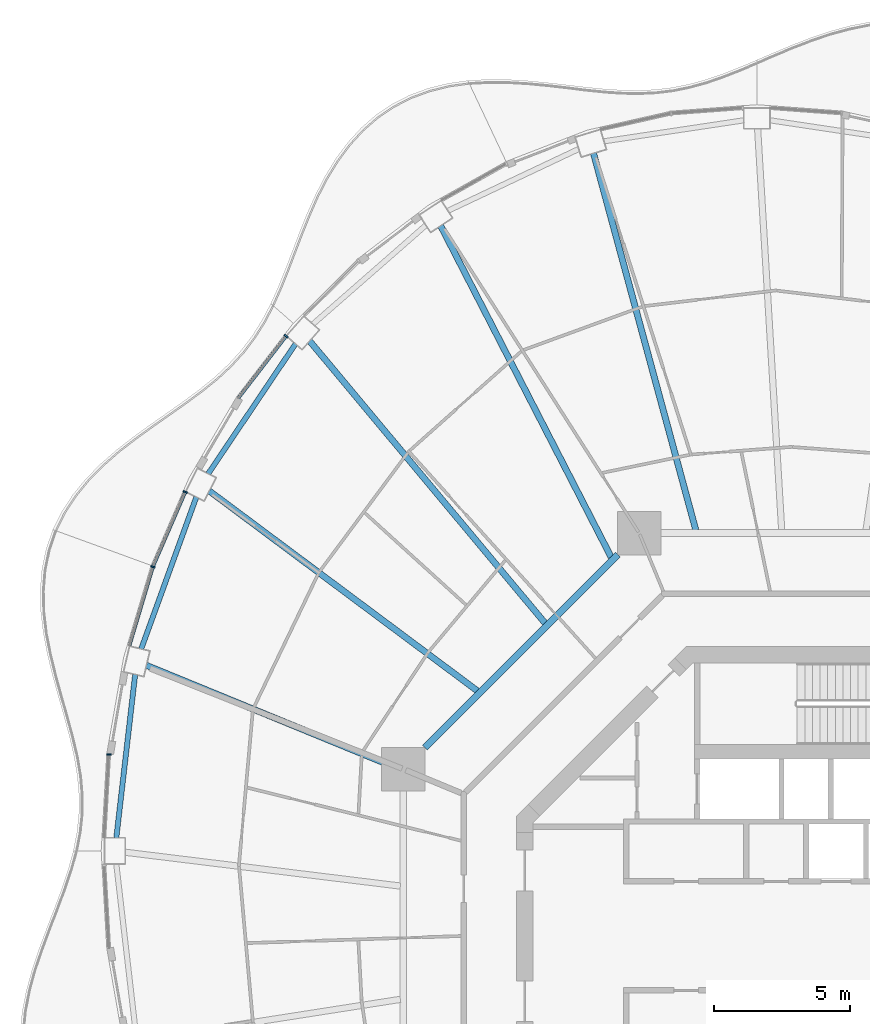
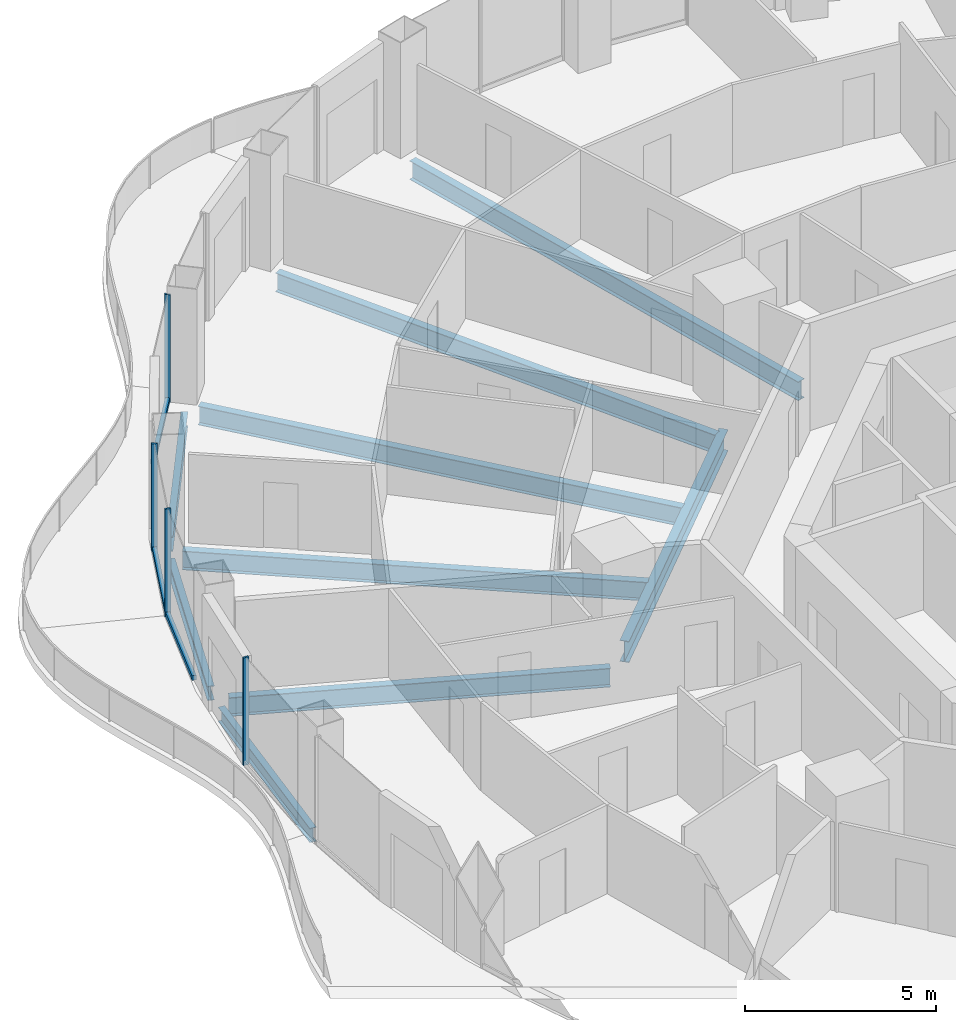
# One storey, part 5 of 18: 9 beams, 7 members, 4 elements without a shape of their own.
"""IFC4 building model written with IfcOpenShell, lengths in metres."""

import ifcopenshell
import ifcopenshell.guid

model = None  # the IFC model being written
_history = None  # IfcOwnerHistory: only IFC2X3 demands one
_inside = {}  # id of a spatial element -> (the spatial element, [elements in it])
_under = {}  # id of a project, library or spatial element -> (it, [spatial elements below it])
_declared = {}  # id of a project -> (the project, [libraries it declares])
_typed = {}  # id of a type object -> (the type object, [elements of that type])
_made_of = {}  # id of a material, layer set ... -> (it, [elements and type objects made of it])


def new_model(schema):
    """Start an empty IFC model of exactly this schema.

    Asked for "IFC4X3", IfcOpenShell would pick the latest addendum, in which some entities
    have other attributes; the version numbers below select the first issue.
    IFC2X3 requires an IfcOwnerHistory on every rooted entity: one is made here for all.
    """
    global model, _history
    if schema == "IFC4X3":
        model = ifcopenshell.file(schema_version=(4, 3, 0, 0))
    else:
        model = ifcopenshell.file(schema=schema)
    _inside.clear()
    _under.clear()
    _declared.clear()
    _typed.clear()
    _made_of.clear()
    _history = None
    if model.schema == "IFC2X3":
        org = make("IfcOrganization", Name="unknown")
        user = make(
            "IfcPersonAndOrganization",
            ThePerson=make("IfcPerson", FamilyName="unknown"),
            TheOrganization=org,
        )
        app = make(
            "IfcApplication",
            ApplicationDeveloper=org,
            Version="unknown",
            ApplicationFullName="unknown",
            ApplicationIdentifier="unknown",
        )
        _history = make(
            "IfcOwnerHistory",
            OwningUser=user,
            OwningApplication=app,
            ChangeAction="ADDED",
            CreationDate=0,
        )
    return model


def make(cls, **values):
    """One entity of the class cls with the attributes given. An attribute that is None is left unset."""
    return model.create_entity(
        cls, **{name: value for name, value in values.items() if value is not None}
    )


def rooted(cls, **values):
    """An entity with a GlobalId (a new one), such as an element, a storey or a relation."""
    return make(cls, GlobalId=ifcopenshell.guid.new(), OwnerHistory=_history, **values)


def si_unit(unit_type, name, prefix=None):
    """IfcSIUnit, for example si_unit("LENGTHUNIT", "METRE", prefix="MILLI")."""
    return make("IfcSIUnit", UnitType=unit_type, Prefix=prefix, Name=name)


def assignment(units):
    """IfcUnitAssignment: the units of a project."""
    return None if units is None else make("IfcUnitAssignment", Units=units)


def point(xyz):
    """IfcCartesianPoint."""
    return None if xyz is None else make("IfcCartesianPoint", Coordinates=xyz)


def direction(xyz):
    """IfcDirection."""
    return None if xyz is None else make("IfcDirection", DirectionRatios=xyz)


def frame(location, z_axis=None, x_axis=None):
    """IfcAxis2Placement3D, a coordinate frame: its origin and axes. An axis left out is left unset."""
    return make(
        "IfcAxis2Placement3D",
        Location=point(location),
        Axis=direction(z_axis),
        RefDirection=direction(x_axis),
    )


def frame_2d(location, x_axis=None):
    """IfcAxis2Placement2D, a coordinate frame in the plane: its origin and x axis."""
    return make(
        "IfcAxis2Placement2D", Location=point(location), RefDirection=direction(x_axis)
    )


def origin():
    """The frame at (0, 0, 0) with its axes left unset."""
    return frame((0.0, 0.0, 0.0))


def origin_2d():
    """The frame at (0, 0) in the plane with its x axis left unset."""
    return frame_2d((0.0, 0.0))


def place(relative_to, where):
    """IfcLocalPlacement: puts the frame where relative to a parent placement (None: the world)."""
    return make(
        "IfcLocalPlacement", PlacementRelTo=relative_to, RelativePlacement=where
    )


def context(
    kind, dimensions, precision=None, world=None, true_north=None, identifier=None
):
    """IfcGeometricRepresentationContext, for example the 3D "Model" context."""
    return make(
        "IfcGeometricRepresentationContext",
        ContextIdentifier=identifier,
        ContextType=kind,
        CoordinateSpaceDimension=dimensions,
        Precision=precision,
        WorldCoordinateSystem=world,
        TrueNorth=true_north,
    )


def subcontext(parent, identifier, kind, view, scale=None):
    """IfcGeometricRepresentationSubContext, for example "Body" below "Model"."""
    return make(
        "IfcGeometricRepresentationSubContext",
        ContextIdentifier=identifier,
        ContextType=kind,
        ParentContext=parent,
        TargetScale=scale,
        TargetView=view,
    )


def project(units=None, contexts=None):
    """IfcProject with its units and contexts."""
    return rooted(
        "IfcProject",
        Name="project",
        RepresentationContexts=contexts,
        UnitsInContext=assignment(units),
    )


def spatial(cls, under=None, at=None, **own):
    """A site, building, storey or space (cls), placed at a placement, below another one or the project."""
    s = rooted(cls, ObjectPlacement=at, **own)
    if under is not None:
        _under.setdefault(under.id(), (under, []))[1].append(s)
    return s


def profile(cls, at=None, kind="AREA", **sizes):
    """A parametric profile (cls). Its sizes go by their IFC names, for example OverallWidth=200.0."""
    return make(cls, ProfileType=kind, Position=at, **sizes)


def rectangle(**sizes):
    """IfcRectangleProfileDef."""
    return profile("IfcRectangleProfileDef", **sizes)


def i_section(**sizes):
    """IfcIShapeProfileDef."""
    return profile("IfcIShapeProfileDef", **sizes)


def extrude(swept, where, along, depth):
    """IfcExtrudedAreaSolid: the profile swept, set in the frame where, extruded along a direction by depth."""
    return make(
        "IfcExtrudedAreaSolid",
        SweptArea=swept,
        Position=where,
        ExtrudedDirection=direction(along),
        Depth=depth,
    )


def shape(context_of_items, identifier, shape_type, items):
    """IfcShapeRepresentation: the items that make up one representation, for example the "Body"."""
    return make(
        "IfcShapeRepresentation",
        ContextOfItems=context_of_items,
        RepresentationIdentifier=identifier,
        RepresentationType=shape_type,
        Items=items,
    )


def material(Name=None, Category=None):
    """IfcMaterial."""
    return make("IfcMaterial", Name=Name, Category=Category)


def layer(
    of_material, thickness, ventilated=None, Name=None, Category=None, Priority=None
):
    """IfcMaterialLayer: one layer of a wall or slab, of a material (None: an air gap)."""
    return make(
        "IfcMaterialLayer",
        Material=of_material,
        LayerThickness=thickness,
        IsVentilated=ventilated,
        Name=Name,
        Category=Category,
        Priority=Priority,
    )


def layer_set(layers, Name=None):
    """IfcMaterialLayerSet."""
    return make("IfcMaterialLayerSet", MaterialLayers=layers, LayerSetName=Name)


def material_profile(
    of_material, cross_section, Name=None, Category=None, Priority=None
):
    """IfcMaterialProfile: a cross section and its material."""
    return make(
        "IfcMaterialProfile",
        Name=Name,
        Material=of_material,
        Profile=cross_section,
        Priority=Priority,
        Category=Category,
    )


def profile_set(profiles, Name=None, composite=None):
    """IfcMaterialProfileSet."""
    return make(
        "IfcMaterialProfileSet",
        Name=Name,
        MaterialProfiles=profiles,
        CompositeProfile=composite,
    )


def made_of(thing, what):
    """Note that an element or type object is made of a material, layer set ...; save() writes the relation."""
    if what is not None:
        _made_of.setdefault(what.id(), (what, []))[1].append(thing)
    return thing


def type_object(cls, material=None, **own):
    """A type object (cls), such as IfcWallType, which elements share."""
    return made_of(rooted(cls, **own), material)


def element(
    cls,
    number,
    at=None,
    inside=None,
    cuts=None,
    type_object=None,
    material=None,
    context=None,
    identifier="Body",
    shape_type=None,
    held_by="IfcProductDefinitionShape",
    body=None,
    shapes=None,
    **own,
):
    """One element of the class cls, such as IfcWall. Its Tag is "e" and its number.

    at: its placement. inside: the storey or other place that contains it. cuts: it is an
    opening in that element (IfcRelVoidsElement). A single representation is given by context,
    identifier, shape_type and body (its items); several are given by shapes. held_by: the class
    of the entity that holds the representations. save() writes the other relations.
    """
    e = rooted(cls, Tag="e%d" % number, ObjectPlacement=at, **own)
    if body is not None:
        shapes = [shape(context, identifier, shape_type, body)]
    if shapes is not None:
        e.Representation = make(held_by, Representations=shapes)
    if inside is not None:
        _inside.setdefault(inside.id(), (inside, []))[1].append(e)
    if cuts is not None:
        rooted(
            "IfcRelVoidsElement", RelatingBuildingElement=cuts, RelatedOpeningElement=e
        )
    if type_object is not None:
        _typed.setdefault(type_object.id(), (type_object, []))[1].append(e)
    return made_of(e, material)


def aggregate(whole, parts):
    """IfcRelAggregates: a whole, such as a stair, and the parts it consists of."""
    return rooted("IfcRelAggregates", RelatingObject=whole, RelatedObjects=parts)


def save(model, path):
    """Write the relations noted so far, then the file.

    IfcRelAggregates (storeys below a building ...), IfcRelContainedInSpatialStructure (elements
    in a storey), IfcRelDefinesByType, IfcRelAssociatesMaterial and IfcRelDeclares: one each for
    every whole, place, type object, material and project.
    """
    for whole, parts in _under.values():
        aggregate(whole, parts)
    for where, things in _inside.values():
        rooted(
            "IfcRelContainedInSpatialStructure",
            RelatedElements=things,
            RelatingStructure=where,
        )
    for kind, things in _typed.values():
        rooted("IfcRelDefinesByType", RelatedObjects=things, RelatingType=kind)
    for what, things in _made_of.values():
        rooted("IfcRelAssociatesMaterial", RelatedObjects=things, RelatingMaterial=what)
    for by, libraries in _declared.values():
        rooted("IfcRelDeclares", RelatingContext=by, RelatedDefinitions=libraries)
    model.write(path)


model = new_model("IFC4")

# Units and contexts
model_context = context("Model", 3, precision=1e-05, world=origin(), true_north=direction((0.0, 1.0)))
body_context = subcontext(model_context, "Body", "Model", "MODEL_VIEW")
ifc_project = project(units=[si_unit("LENGTHUNIT", "METRE"), si_unit("AREAUNIT", "SQUARE_METRE"), si_unit("VOLUMEUNIT", "CUBIC_METRE"), si_unit("PLANEANGLEUNIT", "RADIAN"), si_unit("MASSUNIT", "GRAM", prefix="KILO")], contexts=[model_context])

# Site, building, storey
site_placement = place(None, origin())
site = spatial("IfcSite", under=ifc_project, at=site_placement, CompositionType="ELEMENT")
building_placement = place(site_placement, origin())
building = spatial("IfcBuilding", under=site, at=building_placement, Name="Nagisa Residences", CompositionType="ELEMENT")
storey_placement = place(building_placement, frame((0.0, 0.0, 219.60009765625)))
storey = spatial("IfcBuildingStorey", under=building, at=storey_placement, Name="L55", CompositionType="ELEMENT", Elevation=219.60009765625)

# Curtain wall, member
ifc_material_1 = material(Name="Concrete-coloured aluminium curtain wall system", Category="concrete")
ifc_layer = layer(ifc_material_1, 0.159912109375)
ifc_layer_set = layer_set([ifc_layer], Name="CW1 CURTAIN WALL")
curtain_wall_type = type_object("IfcCurtainWallType", Name="CW1 CURTAIN WALL", PredefinedType="NOTDEFINED", material=ifc_layer_set)
curtain_wall_1_placement = place(storey_placement, origin())
curtain_wall_1 = element("IfcCurtainWall", 1, at=curtain_wall_1_placement, inside=storey, type_object=curtain_wall_type, Name="cw:CW1:L55:18", PredefinedType="NOTDEFINED")
ifc_material_2 = material(Name="Concrete-coloured aluminium", Category="concrete")
ifc_material_profile_1 = material_profile(ifc_material_2, rectangle(XDim=0.159912109375, YDim=0.06005859375, at=origin_2d()), Name="CW1 MULLION 160x60")
ifc_profile_set_1 = profile_set([ifc_material_profile_1], Name="Concrete-coloured aluminium")
member_type_1 = type_object("IfcMemberType", Name="CW1 MULLION 160x60", PredefinedType="MULLION", material=ifc_profile_set_1)
member_1_placement = place(storey_placement, frame((-19.080322265625, 22.0166015625, 0.0), z_axis=(0.0, 0.0, 1.0), x_axis=(0.792070340816, -0.610429828235, 0.0)))
member_1 = element("IfcMember", 2, at=member_1_placement, type_object=member_type_1, Name="CW1 mullion", PredefinedType="MULLION", context=body_context, shape_type="SweptSolid", body=[
    extrude(rectangle(XDim=0.159912109375, YDim=0.06005859375, at=origin_2d()), origin(), (0.0, 0.0, 1.0), 3.43994140625),
])

curtain_wall_2_placement = place(storey_placement, origin())
curtain_wall_2 = element("IfcCurtainWall", 3, at=curtain_wall_2_placement, inside=storey, type_object=curtain_wall_type, Name="cw:CW1:L55:20", PredefinedType="NOTDEFINED")
member_2_placement = place(storey_placement, frame((-22.782470703125, 16.294677734375, 0.0), z_axis=(0.0, 0.0, 1.0), x_axis=(0.917543276295, -0.397635934147, 0.0)))
member_2 = element("IfcMember", 4, at=member_2_placement, type_object=member_type_1, Name="CW1 mullion", PredefinedType="MULLION", context=body_context, shape_type="SweptSolid", body=[
    extrude(rectangle(XDim=0.159912109375, YDim=0.06005859375, at=origin_2d()), origin(), (0.0, 0.0, 1.0), 3.43994140625),
])

curtain_wall_3_placement = place(storey_placement, origin())
curtain_wall_3 = element("IfcCurtainWall", 5, at=curtain_wall_3_placement, inside=storey, type_object=curtain_wall_type, Name="cw:CW1:L55:21", PredefinedType="NOTDEFINED")
member_3_placement = place(storey_placement, frame((-23.9697265625, 13.5478515625, 0.0), z_axis=(0.0, 0.0, 1.0), x_axis=(0.958271310082, -0.285860274038, 0.0)))
member_3 = element("IfcMember", 6, at=member_3_placement, type_object=member_type_1, Name="CW1 mullion", PredefinedType="MULLION", context=body_context, shape_type="SweptSolid", body=[
    extrude(rectangle(XDim=0.159912109375, YDim=0.06005859375, at=origin_2d()), origin(), (0.0, 0.0, 1.0), 3.43994140625),
])

curtain_wall_4_placement = place(storey_placement, origin())
curtain_wall_4 = element("IfcCurtainWall", 7, at=curtain_wall_4_placement, inside=storey, type_object=curtain_wall_type, Name="cw:CW1:L55:23", PredefinedType="NOTDEFINED")
member_4_placement = place(storey_placement, frame((-25.5859375, 6.658203125, 0.0), z_axis=(0.0, 0.0, 1.0), x_axis=(0.998345305184, -0.057503492216, 0.0)))
member_4 = element("IfcMember", 8, at=member_4_placement, type_object=member_type_1, Name="CW1 mullion", PredefinedType="MULLION", context=body_context, shape_type="SweptSolid", body=[
    extrude(rectangle(XDim=0.159912109375, YDim=0.06005859375, at=origin_2d()), origin(), (0.0, 0.0, 1.0), 3.43994140625),
])
aggregate(curtain_wall_4, [member_4])

# Member
ifc_material_3 = material(Name="Concrete-coloured aluminium", Category="concrete")
ifc_material_profile_2 = material_profile(ifc_material_3, rectangle(XDim=0.1201171875, YDim=0.14990234375, at=origin_2d()), Name="CW1 TRANSOM 120x150")
ifc_profile_set_2 = profile_set([ifc_material_profile_2], Name="Concrete-coloured aluminium")
member_type_2 = type_object("IfcMemberType", Name="CW1 TRANSOM 120x150", PredefinedType="USERDEFINED", material=ifc_profile_set_2)
member_5_placement = place(storey_placement, frame((-19.06201171875, 22.04052734375, 0.074951171875), z_axis=(-0.610438565676, -0.792063607001, 0.0), x_axis=(0.792063607001, -0.610438565676, 0.0)))
member_5 = element("IfcMember", 9, at=member_5_placement, type_object=member_type_2, Name="CW1 transom", ObjectType="TRANSOM", PredefinedType="USERDEFINED", context=body_context, shape_type="SweptSolid", body=[
    extrude(rectangle(XDim=0.1201171875, YDim=0.14990234375, at=origin_2d()), origin(), (0.0, 0.0, 1.0), 2.90087890625),
])

aggregate(curtain_wall_1, [member_1, member_5])

member_6_placement = place(storey_placement, frame((-22.770751953125, 16.322021484375, 0.074951171875), z_axis=(-0.397616567135, -0.917551669139, 0.0), x_axis=(0.917551669139, -0.397616567135, 0.0)))
member_6 = element("IfcMember", 10, at=member_6_placement, type_object=member_type_2, Name="CW1 transom", ObjectType="TRANSOM", PredefinedType="USERDEFINED", context=body_context, shape_type="SweptSolid", body=[
    extrude(rectangle(XDim=0.1201171875, YDim=0.14990234375, at=origin_2d()), origin(), (0.0, 0.0, 1.0), 3.001953125),
])

aggregate(curtain_wall_2, [member_2, member_6])

member_7_placement = place(storey_placement, frame((-23.961181640625, 13.576416015625, 0.074951171875), z_axis=(-0.285881452443, -0.958264992134, 0.0), x_axis=(0.958264992134, -0.285881452443, 0.0)))
member_7 = element("IfcMember", 11, at=member_7_placement, type_object=member_type_2, Name="CW1 transom", ObjectType="TRANSOM", PredefinedType="USERDEFINED", context=body_context, shape_type="SweptSolid", body=[
    extrude(rectangle(XDim=0.1201171875, YDim=0.14990234375, at=origin_2d()), origin(), (0.0, 0.0, 1.0), 3.040283203125),
])

aggregate(curtain_wall_3, [member_3, member_7])

# Beams
ifc_material_4 = material(Name="Steel ASTM A572 Gr 50", Category="steel")
ifc_material_profile_3 = material_profile(ifc_material_4, i_section(OverallWidth=0.2529296875, OverallDepth=0.677978515625, WebThickness=0.01171875, FlangeThickness=0.016357421875, at=origin_2d()), Name="W690x125")
ifc_profile_set_3 = profile_set([ifc_material_profile_3], Name="Steel ASTM A572 Gr 50")
beam_type_1 = type_object("IfcBeamType", Name="Inner ring beam W690x125", PredefinedType="BEAM", material=ifc_profile_set_3)
beam_1_placement = place(storey_placement, frame((-6.90869140625, 13.99609375, -0.59912109375), z_axis=(-0.707106781187, -0.707106781187, 0.0), x_axis=(0.707106781187, -0.707106781187, 0.0)))
element("IfcBeam", 12, at=beam_1_placement, inside=storey, type_object=beam_type_1, Name="beam:L55:ib3", PredefinedType="BEAM", context=body_context, shape_type="SweptSolid", body=[
    extrude(i_section(OverallWidth=0.2529296875, OverallDepth=0.677978515625, WebThickness=0.01171875, FlangeThickness=0.016357421875, at=origin_2d()), origin(), (0.0, 0.0, 1.0), 10.023193359375),
])
ifc_material_5 = material(Name="Steel ASTM A572 Gr 50", Category="steel")
ifc_material_profile_4 = material_profile(ifc_material_5, i_section(OverallWidth=0.18994140625, OverallDepth=0.45703125, WebThickness=0.009033203125, FlangeThickness=0.014404296875, at=origin_2d()), Name="W460x74")
ifc_profile_set_4 = profile_set([ifc_material_profile_4], Name="Steel ASTM A572 Gr 50")
beam_type_2 = type_object("IfcBeamType", Name="Perimeter ring beam W460x74", PredefinedType="BEAM", material=ifc_profile_set_4)
beam_2_placement = place(storey_placement, frame((-18.73681640625, 21.72998046875, -0.488525390625), z_axis=(-0.558079852096, -0.829787249049, 0.0), x_axis=(0.829787249049, -0.558079852096, 0.0)))
element("IfcBeam", 13, at=beam_2_placement, inside=storey, type_object=beam_type_2, Name="beam:L55:pb10", PredefinedType="BEAM", context=body_context, shape_type="SweptSolid", body=[
    extrude(i_section(OverallWidth=0.18994140625, OverallDepth=0.45703125, WebThickness=0.009033203125, FlangeThickness=0.014404296875, at=origin_2d()), origin(), (0.0, 0.0, 1.0), 5.743408203125),
])
beam_3_placement = place(storey_placement, frame((-22.377197265625, 16.108154296875, -0.488525390625), z_axis=(-0.34127712749, -0.939962723863, 0.0), x_axis=(0.939962723863, -0.34127712749, 0.0)))
element("IfcBeam", 14, at=beam_3_placement, inside=storey, type_object=beam_type_2, Name="beam:L55:pb11", PredefinedType="BEAM", context=body_context, shape_type="SweptSolid", body=[
    extrude(i_section(OverallWidth=0.18994140625, OverallDepth=0.45703125, WebThickness=0.009033203125, FlangeThickness=0.014404296875, at=origin_2d()), origin(), (0.0, 0.0, 1.0), 5.9326171875),
])
beam_4_placement = place(storey_placement, frame((-24.622314453125, 9.59716796875, -0.488525390625), z_axis=(-0.114650193512, -0.993405925656, 0.0), x_axis=(0.993405925656, -0.114650193512, 0.0)))
element("IfcBeam", 15, at=beam_4_placement, inside=storey, type_object=beam_type_2, Name="beam:L55:pb12", PredefinedType="BEAM", context=body_context, shape_type="SweptSolid", body=[
    extrude(i_section(OverallWidth=0.18994140625, OverallDepth=0.45703125, WebThickness=0.009033203125, FlangeThickness=0.014404296875, at=origin_2d()), origin(), (0.0, 0.0, 1.0), 6.0390625),
])
ifc_material_6 = material(Name="Steel ASTM A572 Gr 50", Category="steel")
ifc_material_profile_5 = material_profile(ifc_material_6, i_section(OverallWidth=0.22802734375, OverallDepth=0.60302734375, WebThickness=0.010498046875, FlangeThickness=0.014892578125, at=origin_2d()), Name="W610x101")
ifc_profile_set_5 = profile_set([ifc_material_profile_5], Name="Steel ASTM A572 Gr 50")
beam_type_3 = type_object("IfcBeamType", Name="Radial beam W610x101", PredefinedType="BEAM", material=ifc_profile_set_5)
beam_5_placement = place(storey_placement, frame((-7.80078125, 28.724609375, -0.5615234375), z_axis=(0.26207978084, -0.965046210539, 0.0), x_axis=(0.965046210539, 0.26207978084, 0.0)))
element("IfcBeam", 16, at=beam_5_placement, inside=storey, type_object=beam_type_3, Name="beam:L55:rb08", PredefinedType="BEAM", context=body_context, shape_type="SweptSolid", body=[
    extrude(i_section(OverallWidth=0.22802734375, OverallDepth=0.60302734375, WebThickness=0.010498046875, FlangeThickness=0.014892578125, at=origin_2d()), origin(), (0.0, 0.0, 1.0), 14.336669921875),
])
beam_6_placement = place(storey_placement, frame((-13.41015625, 26.065185546875, -0.5615234375), z_axis=(0.457487565814, -0.889216018257, 0.0), x_axis=(0.889216018257, 0.457487565814, 0.0)))
element("IfcBeam", 17, at=beam_6_placement, inside=storey, type_object=beam_type_3, Name="beam:L55:rb09", PredefinedType="BEAM", context=body_context, shape_type="SweptSolid", body=[
    extrude(i_section(OverallWidth=0.22802734375, OverallDepth=0.60302734375, WebThickness=0.010498046875, FlangeThickness=0.014892578125, at=origin_2d()), origin(), (0.0, 0.0, 1.0), 13.676513671875),
])
beam_7_placement = place(storey_placement, frame((-18.219970703125, 21.83642578125, -0.5615234375), z_axis=(0.64065600401, -0.767828030568, 0.0), x_axis=(0.767828030568, 0.64065600401, 0.0)))
element("IfcBeam", 18, at=beam_7_placement, inside=storey, type_object=beam_type_3, Name="beam:L55:rb10", PredefinedType="BEAM", context=body_context, shape_type="SweptSolid", body=[
    extrude(i_section(OverallWidth=0.22802734375, OverallDepth=0.60302734375, WebThickness=0.010498046875, FlangeThickness=0.014892578125, at=origin_2d()), origin(), (0.0, 0.0, 1.0), 13.490234375),
])
beam_8_placement = place(storey_placement, frame((-21.90283203125, 16.33203125, -0.5615234375), z_axis=(0.801674643351, -0.597760626177, 0.0), x_axis=(0.597760626177, 0.801674643351, 0.0)))
element("IfcBeam", 19, at=beam_8_placement, inside=storey, type_object=beam_type_3, Name="beam:L55:rb11", PredefinedType="BEAM", context=body_context, shape_type="SweptSolid", body=[
    extrude(i_section(OverallWidth=0.22802734375, OverallDepth=0.60302734375, WebThickness=0.010498046875, FlangeThickness=0.014892578125, at=origin_2d()), origin(), (0.0, 0.0, 1.0), 12.275634765625),
])
beam_9_placement = place(storey_placement, frame((-24.210693359375, 9.93115234375, -0.5615234375), z_axis=(0.925188691773, -0.379507423663, 0.0), x_axis=(0.379507423663, 0.925188691773, 0.0)))
element("IfcBeam", 20, at=beam_9_placement, inside=storey, type_object=beam_type_3, Name="beam:L55:rb12", PredefinedType="BEAM", context=body_context, shape_type="SweptSolid", body=[
    extrude(i_section(OverallWidth=0.22802734375, OverallDepth=0.60302734375, WebThickness=0.010498046875, FlangeThickness=0.014892578125, at=origin_2d()), origin(), (0.0, 0.0, 1.0), 10.07421875),
])

save(model, "model.ifc")
